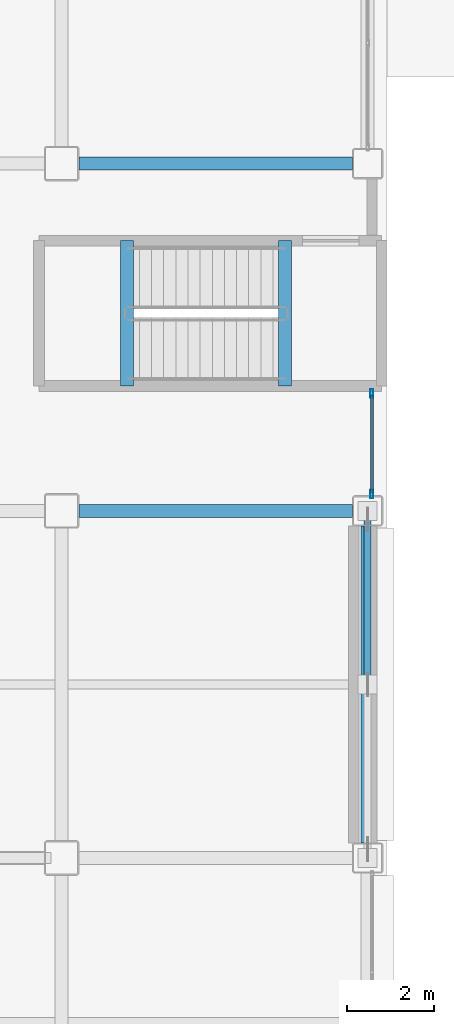
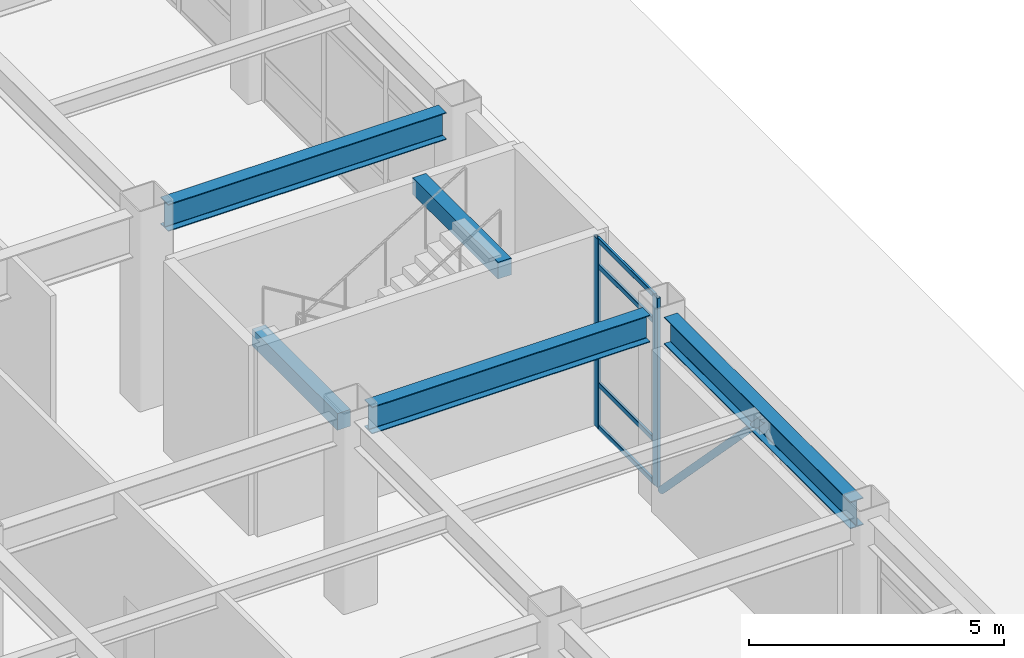
# One storey, part 99 of 172: 7 members, 5 beams, 1 element without a shape of its own.
"""IFC4 building model written with IfcOpenShell, lengths in metres."""

from ifc_helpers import new_model, si_unit, direction, frame, origin, origin_2d, place, context, subcontext, project, spatial, rectangle, hollow_rectangle, hollow_circle, i_section, extrude, material, layer, layer_set, material_profile, profile_set, type_object, element, aggregate, save


model = new_model("IFC4")

# Units and contexts
model_context = context("Model", 3, precision=1e-05, world=origin(), true_north=direction((0.0, 1.0)))
body_context = subcontext(model_context, "Body", "Model", "MODEL_VIEW")
ifc_project = project(units=[si_unit("LENGTHUNIT", "METRE"), si_unit("AREAUNIT", "SQUARE_METRE"), si_unit("VOLUMEUNIT", "CUBIC_METRE"), si_unit("PLANEANGLEUNIT", "RADIAN"), si_unit("MASSUNIT", "GRAM", prefix="KILO")], contexts=[model_context])

# Site, building, storey
site_placement = place(None, origin())
site = spatial("IfcSite", under=ifc_project, at=site_placement, CompositionType="ELEMENT")
building_placement = place(site_placement, origin())
building = spatial("IfcBuilding", under=site, at=building_placement, Name="Kazehara Bluff Congress Hotel", CompositionType="ELEMENT")
storey_placement = place(building_placement, frame((0.0, 0.0, 5.39990234375)))
storey = spatial("IfcBuildingStorey", under=building, at=storey_placement, Name="L01", CompositionType="ELEMENT", Elevation=5.39990234375)

# Member
ifc_material_1 = material(Name="Steel STK490", Category="steel")
ifc_material_profile_1 = material_profile(ifc_material_1, hollow_circle(Radius=0.08251953125, WallThickness=0.007080078125, at=origin_2d()))
ifc_profile_set_1 = profile_set([ifc_material_profile_1], Name="Steel STK490")
member_type_1 = type_object("IfcMemberType", Name="TP-BR-02", PredefinedType="BRACE", material=ifc_profile_set_1)
member_1_placement = place(storey_placement, frame((167.550048828125, 16.0, 0.150146484375), z_axis=(0.0, -0.696145836074, 0.717900393451), x_axis=(1.0, 0.0, 0.0)))
element("IfcMember", 1, at=member_1_placement, inside=storey, type_object=member_type_1, Name="L01 chevron brace BR-02 2", PredefinedType="BRACE", context=body_context, shape_type="SweptSolid", body=[
    extrude(hollow_circle(Radius=0.08251953125, WallThickness=0.007080078125, at=origin_2d()), origin(), (0.0, 0.0, 1.0), 5.745849609375),
])

# Curtain wall, members
ifc_material_2 = material(Name="Anodised aluminium", Category="aluminium")
ifc_layer = layer(ifc_material_2, 0.159912109375)
ifc_layer_set = layer_set([ifc_layer], Name="Anodised aluminium")
curtain_wall_type = type_object("IfcCurtainWallType", Name="TP-CW-113", PredefinedType="NOTDEFINED", material=ifc_layer_set)
curtain_wall_placement = place(storey_placement, origin())
curtain_wall = element("IfcCurtainWall", 2, at=curtain_wall_placement, inside=storey, type_object=curtain_wall_type, Name="L01 curtain wall CW-113 CW-ENC-V5-L01-16765-1755", PredefinedType="NOTDEFINED")
ifc_material_3 = material(Name="Anodised aluminium", Category="aluminium")
ifc_material_profile_2 = material_profile(ifc_material_3, hollow_rectangle(XDim=0.070068359375, YDim=0.199951171875, WallThickness=0.0048828125, InnerFilletRadius=0.0048828125, OuterFilletRadius=0.010009765625, at=origin_2d()))
ifc_profile_set_2 = profile_set([ifc_material_profile_2], Name="Anodised aluminium")
member_type_2 = type_object("IfcMemberType", Name="TP-CWM-03", PredefinedType="MULLION", material=ifc_profile_set_2)
member_2_placement = place(storey_placement, frame((167.64990234375, 18.705078125, 0.0), z_axis=(0.0, 0.0, 1.0), x_axis=(1.0, 0.0, 0.0)))
member_2 = element("IfcMember", 3, at=member_2_placement, type_object=member_type_2, Name="CW-113 mullion 1", PredefinedType="MULLION", context=body_context, shape_type="SweptSolid", body=[
    extrude(hollow_rectangle(XDim=0.070068359375, YDim=0.199951171875, WallThickness=0.0048828125, InnerFilletRadius=0.0048828125, OuterFilletRadius=0.010009765625, at=origin_2d()), origin(), (0.0, 0.0, 1.0), 4.53515625),
])
member_3_placement = place(storey_placement, frame((167.64990234375, 16.385009765625, 0.0), z_axis=(0.0, 0.0, 1.0), x_axis=(1.0, 0.0, 0.0)))
member_3 = element("IfcMember", 4, at=member_3_placement, type_object=member_type_2, Name="CW-113 mullion 2", PredefinedType="MULLION", context=body_context, shape_type="SweptSolid", body=[
    extrude(hollow_rectangle(XDim=0.070068359375, YDim=0.199951171875, WallThickness=0.0048828125, InnerFilletRadius=0.0048828125, OuterFilletRadius=0.010009765625, at=origin_2d()), origin(), (0.0, 0.0, 1.0), 4.53515625),
])
ifc_material_4 = material(Name="Anodised aluminium", Category="aluminium")
ifc_material_profile_3 = material_profile(ifc_material_4, hollow_rectangle(XDim=0.06005859375, YDim=0.1201171875, WallThickness=0.00390625, InnerFilletRadius=0.00390625, OuterFilletRadius=0.008056640625, at=origin_2d()))
ifc_profile_set_3 = profile_set([ifc_material_profile_3], Name="Anodised aluminium")
member_type_3 = type_object("IfcMemberType", Name="TP-CWT-01", PredefinedType="USERDEFINED", material=ifc_profile_set_3)
member_4_placement = place(storey_placement, frame((167.64990234375, 18.669921875, 0.030029296875), z_axis=(0.0, -1.0, 0.0), x_axis=(1.0, 0.0, 0.0)))
member_4 = element("IfcMember", 5, at=member_4_placement, type_object=member_type_3, Name="CW-113 transom 1.1", ObjectType="TRANSOM", PredefinedType="USERDEFINED", context=body_context, shape_type="SweptSolid", body=[
    extrude(hollow_rectangle(XDim=0.06005859375, YDim=0.1201171875, WallThickness=0.00390625, InnerFilletRadius=0.00390625, OuterFilletRadius=0.008056640625, at=origin_2d()), origin(), (0.0, 0.0, 1.0), 2.25),
])
member_5_placement = place(storey_placement, frame((167.64990234375, 18.669921875, 1.050048828125), z_axis=(0.0, -1.0, 0.0), x_axis=(1.0, 0.0, 0.0)))
member_5 = element("IfcMember", 6, at=member_5_placement, type_object=member_type_3, Name="CW-113 transom 1.2", ObjectType="TRANSOM", PredefinedType="USERDEFINED", context=body_context, shape_type="SweptSolid", body=[
    extrude(hollow_rectangle(XDim=0.06005859375, YDim=0.1201171875, WallThickness=0.00390625, InnerFilletRadius=0.00390625, OuterFilletRadius=0.008056640625, at=origin_2d()), origin(), (0.0, 0.0, 1.0), 2.25),
])
member_6_placement = place(storey_placement, frame((167.64990234375, 18.669921875, 3.885009765625), z_axis=(0.0, -1.0, 0.0), x_axis=(1.0, 0.0, 0.0)))
member_6 = element("IfcMember", 7, at=member_6_placement, type_object=member_type_3, Name="CW-113 transom 1.3", ObjectType="TRANSOM", PredefinedType="USERDEFINED", context=body_context, shape_type="SweptSolid", body=[
    extrude(hollow_rectangle(XDim=0.06005859375, YDim=0.1201171875, WallThickness=0.00390625, InnerFilletRadius=0.00390625, OuterFilletRadius=0.008056640625, at=origin_2d()), origin(), (0.0, 0.0, 1.0), 2.25),
])
member_7_placement = place(storey_placement, frame((167.64990234375, 18.669921875, 4.505126953125), z_axis=(0.0, -1.0, 0.0), x_axis=(1.0, 0.0, 0.0)))
member_7 = element("IfcMember", 8, at=member_7_placement, type_object=member_type_3, Name="CW-113 transom 1.4", ObjectType="TRANSOM", PredefinedType="USERDEFINED", context=body_context, shape_type="SweptSolid", body=[
    extrude(hollow_rectangle(XDim=0.06005859375, YDim=0.1201171875, WallThickness=0.00390625, InnerFilletRadius=0.00390625, OuterFilletRadius=0.008056640625, at=origin_2d()), origin(), (0.0, 0.0, 1.0), 2.25),
])
aggregate(curtain_wall, [member_2, member_3, member_4, member_5, member_6, member_7])

# Beams
ifc_material_5 = material(Name="Steel SN490B", Category="steel")
ifc_material_profile_4 = material_profile(ifc_material_5, i_section(OverallWidth=0.300048828125, OverallDepth=0.64990234375, WebThickness=0.011962890625, FlangeThickness=0.02001953125, FilletRadius=0.012939453125, at=origin_2d()))
ifc_profile_set_4 = profile_set([ifc_material_profile_4], Name="Steel SN490B")
beam_type_1 = type_object("IfcBeamType", Name="TP-G-03", PredefinedType="BEAM", material=ifc_profile_set_4)
beam_placement = place(storey_placement, frame((167.550048828125, 8.35009765625, 4.22509765625), z_axis=(0.0, 1.0, 0.0), x_axis=(-1.0, 0.0, 0.0)))
element("IfcBeam", 9, at=beam_placement, inside=storey, type_object=beam_type_1, Name="L01 girder G-03 261", PredefinedType="BEAM", context=body_context, shape_type="SweptSolid", body=[
    extrude(i_section(OverallWidth=0.300048828125, OverallDepth=0.64990234375, WebThickness=0.011962890625, FlangeThickness=0.02001953125, FilletRadius=0.012939453125, at=origin_2d()), origin(), (0.0, 0.0, 1.0), 7.2998046875),
])
for number, where, z_axis, x_axis, name in (
    (10, (160.89990234375, 16.0, 4.22509765625), (1.0, 0.0, 0.0), (0.0, 1.0, 0.0), "L01 girder G-03 283"),
    (11, (160.89990234375, 24.0, 4.22509765625), (1.0, 0.0, 0.0), (0.0, 1.0, 0.0), "L01 girder G-03 289"),
):
    element("IfcBeam", number, at=place(storey_placement, frame(where, z_axis=z_axis, x_axis=x_axis)), inside=storey, type_object=beam_type_1, Name=name, PredefinedType="BEAM", context=body_context, shape_type="SweptSolid", body=[
        extrude(i_section(OverallWidth=0.300048828125, OverallDepth=0.64990234375, WebThickness=0.011962890625, FlangeThickness=0.02001953125, FilletRadius=0.012939453125, at=origin_2d()), origin(), (0.0, 0.0, 1.0), 6.300048828125),
    ])
ifc_material_6 = material(Name="Concrete C40/50", Category="concrete")
ifc_material_profile_5 = material_profile(ifc_material_6, rectangle(XDim=0.300048828125, YDim=0.39990234375, at=origin_2d()))
ifc_profile_set_5 = profile_set([ifc_material_profile_5], Name="Concrete C40/50")
beam_type_2 = type_object("IfcBeamType", Name="TP-LN-02", PredefinedType="LINTEL", material=ifc_profile_set_5)
for number, where, z_axis, x_axis, name in (
    (12, (162.010009765625, 22.22509765625, 2.02001953125), (0.0, -1.0, 0.0), (1.0, 0.0, 0.0), "L01 ST-10 half-landing support beam 1"),
    (13, (165.64990234375, 22.22509765625, 4.3701171875), (0.0, -1.0, 0.0), (1.0, 0.0, 0.0), "L02 ST-10 stairwell trimmer beam"),
):
    element("IfcBeam", number, at=place(storey_placement, frame(where, z_axis=z_axis, x_axis=x_axis)), inside=storey, type_object=beam_type_2, Name=name, PredefinedType="LINTEL", context=body_context, shape_type="SweptSolid", body=[
        extrude(rectangle(XDim=0.300048828125, YDim=0.39990234375, at=origin_2d()), origin(), (0.0, 0.0, 1.0), 3.35009765625),
    ])

save(model, "model.ifc")
